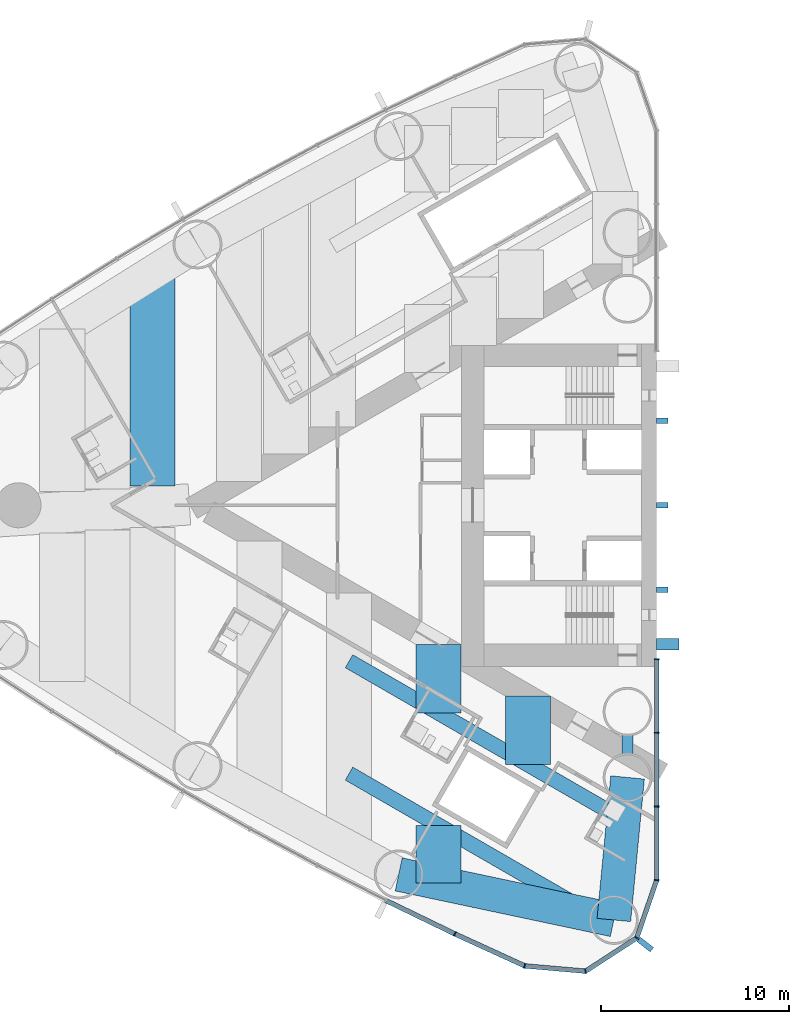
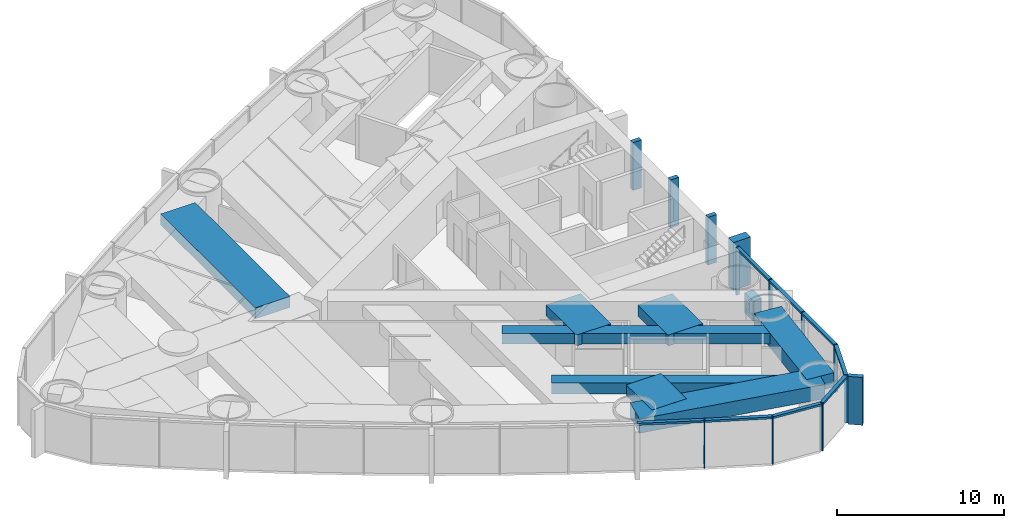
# One storey, part 3 of 19: 21 members, 9 beams, 1 element without a shape of its own.
"""IFC4 building model written with IfcOpenShell, lengths in metres."""

from ifc_helpers import new_model, si_unit, direction, frame, origin, origin_2d, place, context, subcontext, project, spatial, rectangle, hollow_rectangle, extrude, material, material_profile, profile_set, type_object, element, aggregate, save


model = new_model("IFC4")

# Units and contexts
model_context = context("Model", 3, precision=1e-05, world=origin(), true_north=direction((0.0, 1.0)))
body_context = subcontext(model_context, "Body", "Model", "MODEL_VIEW")
ifc_project = project(units=[si_unit("LENGTHUNIT", "METRE"), si_unit("AREAUNIT", "SQUARE_METRE"), si_unit("VOLUMEUNIT", "CUBIC_METRE"), si_unit("PLANEANGLEUNIT", "RADIAN"), si_unit("MASSUNIT", "GRAM", prefix="KILO")], contexts=[model_context])

# Site, building, storey
site_placement = place(None, origin())
site = spatial("IfcSite", under=ifc_project, at=site_placement, CompositionType="ELEMENT")
building_placement = place(site_placement, origin())
building = spatial("IfcBuilding", under=site, at=building_placement, Name="Lancet Gate Hotel", CompositionType="ELEMENT")
storey_placement = place(building_placement, frame((0.0, 0.0, 122.10009765625)))
storey = spatial("IfcBuildingStorey", under=building, at=storey_placement, Name="L32", CompositionType="ELEMENT", Elevation=122.10009765625)

# Curtain wall, members
ifc_material_1 = material(Name="Aluminium curtain wall", Category="aluminium")
curtain_wall_type = type_object("IfcCurtainWallType", Name="Tower unitised curtain wall", PredefinedType="USERDEFINED", material=ifc_material_1)
curtain_wall_placement = place(storey_placement, origin())
curtain_wall = element("IfcCurtainWall", 1, at=curtain_wall_placement, inside=storey, type_object=curtain_wall_type, Name="T1 L32 curtain wall 1", ObjectType="UNITISED CURTAIN WALL", PredefinedType="USERDEFINED")
ifc_material_2 = material(Name="Aluminium mullion", Category="aluminium")
ifc_material_profile_1 = material_profile(ifc_material_2, rectangle(XDim=0.06494140625, YDim=0.25, at=origin_2d()), Name="MULLION 65x250")
ifc_profile_set_1 = profile_set([ifc_material_profile_1], Name="Aluminium mullion")
member_type_1 = type_object("IfcMemberType", Name="Aluminium mullion 65x250", PredefinedType="MULLION", material=ifc_profile_set_1)
member_1_placement = place(storey_placement, frame((-38.25244140625, -22.83642578125, 0.0), z_axis=(0.0, 0.0, 1.0), x_axis=(0.904719609771, -0.426007544178, 0.0)))
member_1 = element("IfcMember", 2, at=member_1_placement, type_object=member_type_1, Name="T1 L32 curtain wall 1 mullion 29", PredefinedType="MULLION", context=body_context, shape_type="SweptSolid", body=[
    extrude(rectangle(XDim=0.06494140625, YDim=0.25, at=origin_2d()), origin(), (0.0, 0.0, 1.0), 3.5),
])
member_2_placement = place(storey_placement, frame((-34.5322265625, -24.53955078125, 0.0), z_axis=(0.0, 0.0, 1.0), x_axis=(0.961653318232, -0.27426792655, 0.0)))
member_2 = element("IfcMember", 3, at=member_2_placement, type_object=member_type_1, Name="T1 L32 curtain wall 1 mullion 30", PredefinedType="MULLION", context=body_context, shape_type="SweptSolid", body=[
    extrude(rectangle(XDim=0.06494140625, YDim=0.25, at=origin_2d()), origin(), (0.0, 0.0, 1.0), 3.5),
])
member_3_placement = place(storey_placement, frame((-31.289306640625, -24.822265625, 0.0), z_axis=(0.0, 0.0, 1.0), x_axis=(0.970242142288, 0.242136707934, 0.0)))
member_3 = element("IfcMember", 4, at=member_3_placement, type_object=member_type_1, Name="T1 L32 curtain wall 1 mullion 31", PredefinedType="MULLION", context=body_context, shape_type="SweptSolid", body=[
    extrude(rectangle(XDim=0.06494140625, YDim=0.25, at=origin_2d()), origin(), (0.0, 0.0, 1.0), 3.5),
])
member_4_placement = place(storey_placement, frame((-28.5595703125, -23.049072265625, 0.0), z_axis=(0.0, 0.0, 1.0), x_axis=(0.615574240878, 0.788078900851, 0.0)))
member_4 = element("IfcMember", 5, at=member_4_placement, type_object=member_type_1, Name="T1 L32 curtain wall 1 mullion 32", PredefinedType="MULLION", context=body_context, shape_type="SweptSolid", body=[
    extrude(rectangle(XDim=0.06494140625, YDim=0.25, at=origin_2d()), origin(), (0.0, 0.0, 1.0), 3.5),
])
member_5_placement = place(storey_placement, frame((-27.5, -19.97119140625, 0.0), z_axis=(0.0, 0.0, 1.0), x_axis=(0.149634446211, 0.988741388082, 0.0)))
member_5 = element("IfcMember", 6, at=member_5_placement, type_object=member_type_1, Name="T1 L32 curtain wall 1 mullion 33", PredefinedType="MULLION", context=body_context, shape_type="SweptSolid", body=[
    extrude(rectangle(XDim=0.06494140625, YDim=0.25, at=origin_2d()), origin(), (0.0, 0.0, 1.0), 3.5),
])
member_6_placement = place(storey_placement, frame((-27.5, -16.04736328125, 0.0), z_axis=(0.0, 0.0, 1.0), x_axis=(0.0, 1.0, 0.0)))
member_6 = element("IfcMember", 7, at=member_6_placement, type_object=member_type_1, Name="T1 L32 curtain wall 1 mullion 34", PredefinedType="MULLION", context=body_context, shape_type="SweptSolid", body=[
    extrude(rectangle(XDim=0.06494140625, YDim=0.25, at=origin_2d()), origin(), (0.0, 0.0, 1.0), 3.5),
])
member_7_placement = place(storey_placement, frame((-27.5, -12.123779296875, 0.0), z_axis=(0.0, 0.0, 1.0), x_axis=(0.0, 1.0, 0.0)))
member_7 = element("IfcMember", 8, at=member_7_placement, type_object=member_type_1, Name="T1 L32 curtain wall 1 mullion 35", PredefinedType="MULLION", context=body_context, shape_type="SweptSolid", body=[
    extrude(rectangle(XDim=0.06494140625, YDim=0.25, at=origin_2d()), origin(), (0.0, 0.0, 1.0), 3.5),
])
member_8_placement = place(storey_placement, frame((-27.5, -8.199951171875, 0.0), z_axis=(0.0, 0.0, 1.0), x_axis=(0.0, 1.0, 0.0)))
member_8 = element("IfcMember", 9, at=member_8_placement, type_object=member_type_1, Name="T1 L32 curtain wall 1 mullion 36", PredefinedType="MULLION", context=body_context, shape_type="SweptSolid", body=[
    extrude(rectangle(XDim=0.06494140625, YDim=0.25, at=origin_2d()), origin(), (0.0, 0.0, 1.0), 3.5),
])
ifc_material_3 = material(Name="Aluminium transom", Category="aluminium")
ifc_material_profile_2 = material_profile(ifc_material_3, rectangle(XDim=0.25, YDim=0.14990234375, at=origin_2d()), Name="TRANSOM 250x150")
ifc_profile_set_2 = profile_set([ifc_material_profile_2], Name="Aluminium transom")
member_type_2 = type_object("IfcMemberType", Name="Aluminium transom 250x150", PredefinedType="USERDEFINED", material=ifc_profile_set_2)
member_9_placement = place(storey_placement, frame((-41.906005859375, -21.067626953125, 3.4248046875), z_axis=(0.900065677074, -0.435754262117, 0.0), x_axis=(0.435754262117, 0.900065677074, 0.0)))
member_9 = element("IfcMember", 10, at=member_9_placement, type_object=member_type_2, Name="T1 L32 curtain wall 1 transom 28", ObjectType="TRANSOM", PredefinedType="USERDEFINED", context=body_context, shape_type="SweptSolid", body=[
    extrude(rectangle(XDim=0.25, YDim=0.14990234375, at=origin_2d()), origin(), (0.0, 0.0, 1.0), 4.026611328125),
])
member_10_placement = place(storey_placement, frame((-38.222900390625, -22.849853515625, 3.4248046875), z_axis=(0.909252284196, -0.416245460857, 0.0), x_axis=(0.416245460857, 0.909252284196, 0.0)))
member_10 = element("IfcMember", 11, at=member_10_placement, type_object=member_type_2, Name="T1 L32 curtain wall 1 transom 29", ObjectType="TRANSOM", PredefinedType="USERDEFINED", context=body_context, shape_type="SweptSolid", body=[
    extrude(rectangle(XDim=0.25, YDim=0.14990234375, at=origin_2d()), origin(), (0.0, 0.0, 1.0), 4.026611328125),
])
member_11_placement = place(storey_placement, frame((-34.499755859375, -24.542236328125, 3.4248046875), z_axis=(0.996213545522, -0.086940046686, 0.0), x_axis=(0.086940046686, 0.996213545522, 0.0)))
member_11 = element("IfcMember", 12, at=member_11_placement, type_object=member_type_2, Name="T1 L32 curtain wall 1 transom 30", ObjectType="TRANSOM", PredefinedType="USERDEFINED", context=body_context, shape_type="SweptSolid", body=[
    extrude(rectangle(XDim=0.25, YDim=0.14990234375, at=origin_2d()), origin(), (0.0, 0.0, 1.0), 3.18994140625),
])
member_12_placement = place(storey_placement, frame((-31.261962890625, -24.8046875, 3.4248046875), z_axis=(0.838550259452, 0.544824249068, 0.0), x_axis=(-0.544824249068, 0.838550259452, 0.0)))
member_12 = element("IfcMember", 13, at=member_12_placement, type_object=member_type_2, Name="T1 L32 curtain wall 1 transom 31", ObjectType="TRANSOM", PredefinedType="USERDEFINED", context=body_context, shape_type="SweptSolid", body=[
    extrude(rectangle(XDim=0.25, YDim=0.14990234375, at=origin_2d()), origin(), (0.0, 0.0, 1.0), 3.190185546875),
])
member_13_placement = place(storey_placement, frame((-28.549072265625, -23.018310546875, 3.4248046875), z_axis=(0.32553312754, 0.945530635609, 0.0), x_axis=(-0.945530635609, 0.32553312754, 0.0)))
member_13 = element("IfcMember", 14, at=member_13_placement, type_object=member_type_2, Name="T1 L32 curtain wall 1 transom 32", ObjectType="TRANSOM", PredefinedType="USERDEFINED", context=body_context, shape_type="SweptSolid", body=[
    extrude(rectangle(XDim=0.25, YDim=0.14990234375, at=origin_2d()), origin(), (0.0, 0.0, 1.0), 3.1904296875),
])
member_14_placement = place(storey_placement, frame((-27.5, -19.9384765625, 3.4248046875), z_axis=(0.0, 1.0, 0.0), x_axis=(-1.0, 0.0, 0.0)))
member_14 = element("IfcMember", 15, at=member_14_placement, type_object=member_type_2, Name="T1 L32 curtain wall 1 transom 33", ObjectType="TRANSOM", PredefinedType="USERDEFINED", context=body_context, shape_type="SweptSolid", body=[
    extrude(rectangle(XDim=0.25, YDim=0.14990234375, at=origin_2d()), origin(), (0.0, 0.0, 1.0), 3.858642578125),
])
member_15_placement = place(storey_placement, frame((-27.5, -16.014892578125, 3.4248046875), z_axis=(0.0, 1.0, 0.0), x_axis=(-1.0, 0.0, 0.0)))
member_15 = element("IfcMember", 16, at=member_15_placement, type_object=member_type_2, Name="T1 L32 curtain wall 1 transom 34", ObjectType="TRANSOM", PredefinedType="USERDEFINED", context=body_context, shape_type="SweptSolid", body=[
    extrude(rectangle(XDim=0.25, YDim=0.14990234375, at=origin_2d()), origin(), (0.0, 0.0, 1.0), 3.858642578125),
])
member_16_placement = place(storey_placement, frame((-27.5, -12.09130859375, 3.4248046875), z_axis=(0.0, 1.0, 0.0), x_axis=(-1.0, 0.0, 0.0)))
member_16 = element("IfcMember", 17, at=member_16_placement, type_object=member_type_2, Name="T1 L32 curtain wall 1 transom 35", ObjectType="TRANSOM", PredefinedType="USERDEFINED", context=body_context, shape_type="SweptSolid", body=[
    extrude(rectangle(XDim=0.25, YDim=0.14990234375, at=origin_2d()), origin(), (0.0, 0.0, 1.0), 3.85888671875),
])

# Beams
ifc_material_4 = material(Name="Concrete C50/60", Category="concrete")
ifc_material_profile_3 = material_profile(ifc_material_4, rectangle(XDim=1.800048828125, YDim=1.050048828125, at=origin_2d()), Name="RC 1800x1050")
ifc_profile_set_3 = profile_set([ifc_material_profile_3], Name="Concrete C50/60")
beam_type_1 = type_object("IfcBeamType", Name="Edge beam RC 1800x1050", PredefinedType="SPANDREL", material=ifc_profile_set_3)
beam_1_placement = place(storey_placement, frame((-41.244873046875, -19.665771484375, 2.724853515625), z_axis=(0.978282156247, -0.207277646573, 0.0), x_axis=(0.207277646573, 0.978282156247, 0.0)))
element("IfcBeam", 18, at=beam_1_placement, inside=storey, type_object=beam_type_1, Name="T1 edge beam EB1 L32", PredefinedType="SPANDREL", context=body_context, shape_type="SweptSolid", body=[
    extrude(rectangle(XDim=1.800048828125, YDim=1.050048828125, at=origin_2d()), origin(), (0.0, 0.0, 1.0), 11.71826171875),
])
beam_2_placement = place(storey_placement, frame((-29.050048828125, -14.5, 2.724853515625), z_axis=(-0.095802643786, -0.995400348324, 0.0), x_axis=(0.995400348324, -0.095802643786, 0.0)))
element("IfcBeam", 19, at=beam_2_placement, inside=storey, type_object=beam_type_1, Name="T1 edge beam EB1 L32", PredefinedType="SPANDREL", context=body_context, shape_type="SweptSolid", body=[
    extrude(rectangle(XDim=1.800048828125, YDim=1.050048828125, at=origin_2d()), origin(), (0.0, 0.0, 1.0), 7.6298828125),
])

# Member
ifc_material_5 = material(Name="Concrete C60/75", Category="concrete")
ifc_material_profile_4 = material_profile(ifc_material_5, rectangle(XDim=0.60009765625, YDim=1.199951171875, at=origin_2d()), Name="FIN 600x1200")
ifc_profile_set_4 = profile_set([ifc_material_profile_4], Name="Concrete C60/75")
member_type_3 = type_object("IfcMemberType", Name="Exposed concrete buttress pilaster 600x1200", PredefinedType="USERDEFINED", material=ifc_profile_set_4)
member_17_placement = place(storey_placement, frame((-26.909912109375, -7.39990234375, 0.0), z_axis=(0.0, 0.0, 1.0), x_axis=(0.0, 1.0, 0.0)))
element("IfcMember", 20, at=member_17_placement, inside=storey, type_object=member_type_3, Name="T1 buttress pilaster N L32", ObjectType="FIN", PredefinedType="USERDEFINED", context=body_context, shape_type="SweptSolid", body=[
    extrude(rectangle(XDim=0.60009765625, YDim=1.199951171875, at=origin_2d()), origin(), (0.0, 0.0, 1.0), 3.5),
])

ifc_material_6 = material(Name="Precast concrete C50/60", Category="concrete")
ifc_material_profile_5 = material_profile(ifc_material_6, rectangle(XDim=0.300048828125, YDim=0.89990234375, at=origin_2d()), Name="FIN 300x900")
ifc_profile_set_5 = profile_set([ifc_material_profile_5], Name="Precast concrete C50/60")
member_type_4 = type_object("IfcMemberType", Name="Exposed concrete fin 300x900", PredefinedType="USERDEFINED", material=ifc_profile_set_5)
member_18_placement = place(storey_placement, frame((-28.1064453125, -23.40283203125, 0.0), z_axis=(0.0, 0.0, 1.0), x_axis=(0.615574240878, 0.788078900851, 0.0)))
member_18 = element("IfcMember", 21, at=member_18_placement, type_object=member_type_4, Name="T1 L32 curtain wall 1 fin 32", ObjectType="FIN", PredefinedType="USERDEFINED", context=body_context, shape_type="SweptSolid", body=[
    extrude(rectangle(XDim=0.300048828125, YDim=0.89990234375, at=origin_2d()), origin(), (0.0, 0.0, 1.0), 3.5),
])

aggregate(curtain_wall, [member_1, member_2, member_3, member_4, member_18, member_5, member_6, member_7, member_8, member_9, member_10, member_11, member_12, member_13, member_14, member_15, member_16])

# Members
ifc_material_7 = material(Name="Concrete C60/75", Category="concrete")
ifc_material_profile_6 = material_profile(ifc_material_7, rectangle(XDim=0.300048828125, YDim=0.60009765625, at=origin_2d()), Name="FIN 300x600")
ifc_profile_set_6 = profile_set([ifc_material_profile_6], Name="Concrete C60/75")
member_type_5 = type_object("IfcMemberType", Name="Exposed concrete rib 300x600", PredefinedType="USERDEFINED", material=ifc_profile_set_6)
for number, where, z_axis, x_axis, name in (
    (22, (-27.2099609375, 4.5, 0.0), (0.0, 0.0, 1.0), (0.0, 1.0, 0.0), "T1 core rib 1 L32"),
    (23, (-27.2099609375, 0.0, 0.0), (0.0, 0.0, 1.0), (0.0, 1.0, 0.0), "T1 core rib 2 L32"),
    (24, (-27.2099609375, -4.5, 0.0), (0.0, 0.0, 1.0), (0.0, 1.0, 0.0), "T1 core rib 3 L32"),
):
    element("IfcMember", number, at=place(storey_placement, frame(where, z_axis=z_axis, x_axis=x_axis)), inside=storey, type_object=member_type_5, Name=name, ObjectType="FIN", PredefinedType="USERDEFINED", context=body_context, shape_type="SweptSolid", body=[
        extrude(rectangle(XDim=0.300048828125, YDim=0.60009765625, at=origin_2d()), origin(), (0.0, 0.0, 1.0), 3.5),
    ])

# Beams
ifc_material_8 = material(Name="Concrete C50/60", Category="concrete")
ifc_material_profile_7 = material_profile(ifc_material_8, rectangle(XDim=2.39990234375, YDim=0.800048828125, at=origin_2d()), Name="RC 2400x800")
ifc_profile_set_7 = profile_set([ifc_material_profile_7], Name="Concrete C50/60")
beam_type_2 = type_object("IfcBeamType", Name="Floor beam RC 2400x800", PredefinedType="BEAM", material=ifc_profile_set_7)
beam_3_placement = place(storey_placement, frame((-54.3681640625, 12.392333984375, 2.849853515625), z_axis=(0.0, -1.0, 0.0), x_axis=(1.0, 0.0, 0.0)))
element("IfcBeam", 25, at=beam_3_placement, inside=storey, type_object=beam_type_2, Name="T1 floor beam F13S L32", PredefinedType="BEAM", context=body_context, shape_type="SweptSolid", body=[
    extrude(rectangle(XDim=2.39990234375, YDim=0.800048828125, at=origin_2d()), origin(), (0.0, 0.0, 1.0), 11.364990234375),
])
beam_4_placement = place(storey_placement, frame((-34.353515625, -10.169921875, 2.849853515625), z_axis=(0.0, -1.0, 0.0), x_axis=(1.0, 0.0, 0.0)))
element("IfcBeam", 26, at=beam_4_placement, inside=storey, type_object=beam_type_2, Name="T1 floor beam F03NA L32", PredefinedType="BEAM", context=body_context, shape_type="SweptSolid", body=[
    extrude(rectangle(XDim=2.39990234375, YDim=0.800048828125, at=origin_2d()), origin(), (0.0, 0.0, 1.0), 3.645751953125),
])
beam_5_placement = place(storey_placement, frame((-39.122314453125, -7.41650390625, 2.849853515625), z_axis=(0.0, -1.0, 0.0), x_axis=(1.0, 0.0, 0.0)))
element("IfcBeam", 27, at=beam_5_placement, inside=storey, type_object=beam_type_2, Name="T1 floor beam F06NA L32", PredefinedType="BEAM", context=body_context, shape_type="SweptSolid", body=[
    extrude(rectangle(XDim=2.39990234375, YDim=0.800048828125, at=origin_2d()), origin(), (0.0, 0.0, 1.0), 3.64599609375),
])
beam_6_placement = place(storey_placement, frame((-39.122314453125, -17.0498046875, 2.849853515625), z_axis=(0.0, -1.0, 0.0), x_axis=(1.0, 0.0, 0.0)))
element("IfcBeam", 28, at=beam_6_placement, inside=storey, type_object=beam_type_2, Name="T1 floor beam F06NB L32", PredefinedType="BEAM", context=body_context, shape_type="SweptSolid", body=[
    extrude(rectangle(XDim=2.39990234375, YDim=0.800048828125, at=origin_2d()), origin(), (0.0, 0.0, 1.0), 3.065673828125),
])
ifc_material_9 = material(Name="Steel S460QL", Category="steel")
ifc_material_profile_8 = material_profile(ifc_material_9, hollow_rectangle(XDim=0.60009765625, YDim=1.5, WallThickness=0.050048828125, at=origin_2d()), Name="BOX 1500x600x50")
ifc_profile_set_8 = profile_set([ifc_material_profile_8], Name="Steel S460QL")
beam_type_3 = type_object("IfcBeamType", Name="Inner-face link beam BOX 1500x600x50", PredefinedType="BEAM", material=ifc_profile_set_8)
beam_7_placement = place(storey_placement, frame((-29.050048828125, -12.25, 2.5), z_axis=(0.0, -1.0, 0.0), x_axis=(1.0, 0.0, 0.0)))
element("IfcBeam", 29, at=beam_7_placement, inside=storey, type_object=beam_type_3, Name="T1 inner-face link beam LK1 L32", PredefinedType="BEAM", context=body_context, shape_type="SweptSolid", body=[
    extrude(hollow_rectangle(XDim=0.60009765625, YDim=1.5, WallThickness=0.050048828125, at=origin_2d()), origin(), (0.0, 0.0, 1.0), 1.0),
])
ifc_material_10 = material(Name="Steel S460QL", Category="steel")
ifc_material_profile_9 = material_profile(ifc_material_10, hollow_rectangle(XDim=0.800048828125, YDim=0.800048828125, WallThickness=0.080078125, at=origin_2d()), Name="BOX 800x800x80")
ifc_profile_set_9 = profile_set([ifc_material_profile_9], Name="Steel S460QL")
beam_type_4 = type_object("IfcBeamType", Name="Trimmer beam BOX 800x800x80", PredefinedType="BEAM", material=ifc_profile_set_9)
beam_8_placement = place(storey_placement, frame((-29.58447265625, -16.56884765625, 2.849853515625), z_axis=(-0.866040141834, 0.49997447208, 0.0), x_axis=(-0.49997447208, -0.866040141834, 0.0)))
element("IfcBeam", 30, at=beam_8_placement, inside=storey, type_object=beam_type_4, Name="T1 trimmer beam TR01N L32", PredefinedType="BEAM", context=body_context, shape_type="SweptSolid", body=[
    extrude(hollow_rectangle(XDim=0.800048828125, YDim=0.800048828125, WallThickness=0.080078125, at=origin_2d()), origin(), (0.0, 0.0, 1.0), 16.519775390625),
])
beam_9_placement = place(storey_placement, frame((-30.982421875, -21.7490234375, 2.849853515625), z_axis=(-0.866042392862, 0.4999705729, 0.0), x_axis=(-0.4999705729, -0.866042392862, 0.0)))
element("IfcBeam", 31, at=beam_9_placement, inside=storey, type_object=beam_type_4, Name="T1 trimmer beam TR03N L32", PredefinedType="BEAM", context=body_context, shape_type="SweptSolid", body=[
    extrude(hollow_rectangle(XDim=0.800048828125, YDim=0.800048828125, WallThickness=0.080078125, at=origin_2d()), origin(), (0.0, 0.0, 1.0), 14.90576171875),
])

save(model, "model.ifc")
